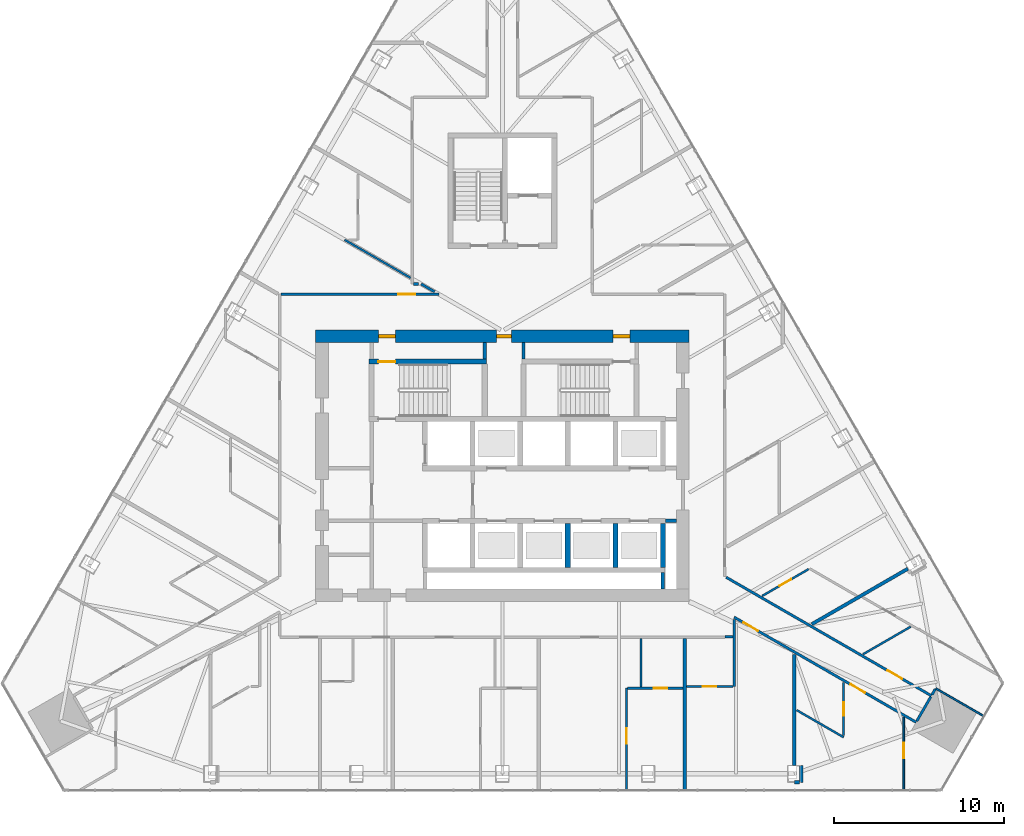
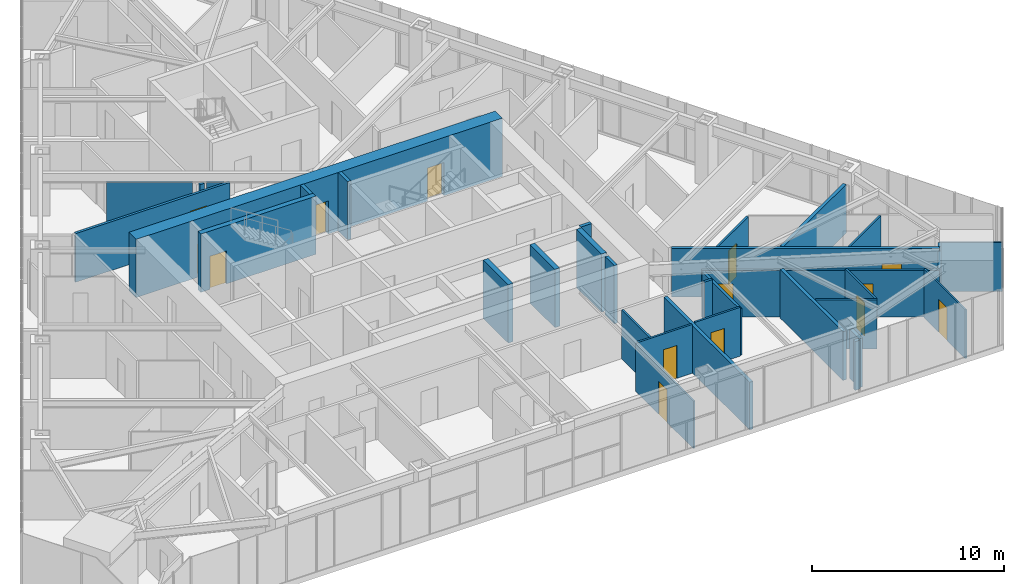
# One storey, part 20 of 24: 34 walls, 14 doors, 14 openings.
"""IFC4 building model written with IfcOpenShell, lengths in metres."""

from ifc_helpers import new_model, si_unit, direction, frame, frame_2d, origin, place, context, subcontext, project, spatial, rectangle, extrude, material, layer, layer_set, type_object, element, fill, save


model = new_model("IFC4")

# Units and contexts
model_context = context("Model", 3, precision=1e-05, world=origin(), true_north=direction((0.0, 1.0)))
body_context = subcontext(model_context, "Body", "Model", "MODEL_VIEW")
ifc_project = project(units=[si_unit("LENGTHUNIT", "METRE"), si_unit("AREAUNIT", "SQUARE_METRE"), si_unit("VOLUMEUNIT", "CUBIC_METRE"), si_unit("PLANEANGLEUNIT", "RADIAN"), si_unit("MASSUNIT", "GRAM", prefix="KILO")], contexts=[model_context])

# Site, building, storey
site_placement = place(None, origin())
site = spatial("IfcSite", under=ifc_project, at=site_placement, CompositionType="ELEMENT")
building_placement = place(site_placement, origin())
building = spatial("IfcBuilding", under=site, at=building_placement, Name="Firuza Gate Tower and Library", CompositionType="ELEMENT")
storey_placement = place(building_placement, frame((0.0, 0.0, 206.5)))
storey = spatial("IfcBuildingStorey", under=building, at=storey_placement, Name="L48", CompositionType="ELEMENT", Elevation=206.5)

# Walls
ifc_material_1 = material(Name="Plasterboard on steel studs", Category="steel")
ifc_layer_1 = layer(ifc_material_1, 0.199951171875)
ifc_layer_set_1 = layer_set([ifc_layer_1], Name="Core partition 200 EI 120")
wall_type_1 = type_object("IfcWallType", Name="Core partition 200 EI 120", PredefinedType="PARTITIONING", material=ifc_layer_set_1)
wall_1_placement = place(storey_placement, frame((84.60009765625, 71.75, 0.0), z_axis=(0.0, 0.0, 1.0), x_axis=(1.0, 0.0, 0.0)))
element("IfcWall", 1, at=wall_1_placement, inside=storey, type_object=wall_type_1, Name="Core partition L48 3", PredefinedType="PARTITIONING", context=body_context, shape_type="SweptSolid", body=[
    extrude(rectangle(XDim=0.64990234375, YDim=0.199951171875, at=frame_2d((0.324951171875, 0.0))), origin(), (0.0, 0.0, 1.0), 3.699951171875),
])
wall_2_placement = place(storey_placement, frame((84.449951171875, 67.75, 0.0), z_axis=(0.0, 0.0, 1.0), x_axis=(0.0, 1.0, 0.0)))
element("IfcWall", 2, at=wall_2_placement, inside=storey, type_object=wall_type_1, Name="Core partition L48 15", PredefinedType="PARTITIONING", context=body_context, shape_type="SweptSolid", body=[
    extrude(rectangle(XDim=0.949951171875, YDim=0.199951171875, at=frame_2d((0.47509765625, 0.0))), origin(), (0.0, 0.0, 1.0), 3.699951171875),
])
ifc_material_2 = material(Name="Plasterboard on steel studs", Category="steel")
ifc_layer_2 = layer(ifc_material_2, 0.199951171875)
ifc_layer_set_2 = layer_set([ifc_layer_2], Name="Core partition 200 EI 60")
wall_type_2 = type_object("IfcWallType", Name="Core partition 200 EI 60", PredefinedType="PARTITIONING", material=ifc_layer_set_2)
for number, where, z_axis, x_axis, name in (
    (3, (73.9599609375, 81.280029296875, 0.0), (0.0, 0.0, 1.0), (0.0, 1.0, 0.0), "Core partition L48 12"),
    (4, (76.239990234375, 81.280029296875, 0.0), (0.0, 0.0, 1.0), (0.0, 1.0, 0.0), "Core partition L48 13"),
):
    element("IfcWall", number, at=place(storey_placement, frame(where, z_axis=z_axis, x_axis=x_axis)), inside=storey, type_object=wall_type_2, Name=name, PredefinedType="PARTITIONING", context=body_context, shape_type="SweptSolid", body=[
        extrude(rectangle(XDim=0.969970703125, YDim=0.199951171875, at=frame_2d((0.48486328125, 0.0))), origin(), (0.0, 0.0, 1.0), 3.699951171875),
    ])
ifc_material_3 = material(Name="Concrete C80/95", Category="concrete")
ifc_layer_3 = layer(ifc_material_3, 0.300048828125)
ifc_layer_set_3 = layer_set([ifc_layer_3], Name="Core wall 300 C80/95")
wall_type_3 = type_object("IfcWallType", Name="Core wall 300 C80/95", PredefinedType="SHEAR", material=ifc_layer_set_3)
for number, where, z_axis, x_axis, name in (
    (5, (78.85009765625, 69.0, 0.0), (0.0, 0.0, 1.0), (0.0, 1.0, 0.0), "Core wall L48 14"),
    (6, (81.64990234375, 69.0, 0.0), (0.0, 0.0, 1.0), (0.0, 1.0, 0.0), "Core wall L48 16"),
    (7, (84.449951171875, 69.0, 0.0), (0.0, 0.0, 1.0), (0.0, 1.0, 0.0), "Core wall L48 18"),
):
    element("IfcWall", number, at=place(storey_placement, frame(where, z_axis=z_axis, x_axis=x_axis)), inside=storey, type_object=wall_type_3, Name=name, PredefinedType="SHEAR", context=body_context, shape_type="SweptSolid", body=[
        extrude(rectangle(XDim=2.60009765625, YDim=0.300048828125, at=frame_2d((1.300048828125, 0.0))), origin(), (0.0, 0.0, 1.0), 3.699951171875),
    ])

# Wall, opening, door
wall_3_placement = place(storey_placement, frame((67.14990234375, 81.1298828125, 0.0), z_axis=(0.0, 0.0, 1.0), x_axis=(1.0, 0.0, 0.0)))
wall_3 = element("IfcWall", 8, at=wall_3_placement, inside=storey, type_object=wall_type_3, Name="Core wall L48 21", PredefinedType="SHEAR", context=body_context, shape_type="SweptSolid", body=[
    extrude(rectangle(XDim=6.91015625, YDim=0.300048828125, at=frame_2d((3.455078125, 0.0))), origin(), (0.0, 0.0, 1.0), 3.699951171875),
])
opening_1_placement = place(wall_3_placement, frame((0.544921875, 0.0, 0.0)))
opening_1 = element("IfcOpeningElement", 9, at=opening_1_placement, cuts=wall_3, Name="Opening L48-K11", PredefinedType="OPENING", context=body_context, shape_type="SweptSolid", body=[
    extrude(rectangle(XDim=1.0, YDim=2.10009765625, at=frame_2d((0.5, 1.050048828125))), frame((0.0, 0.16015625, 0.0), z_axis=(0.0, -1.0, 0.0), x_axis=(1.0, 0.0, 0.0)), (0.0, 0.0, 1.0), 0.320068359375),
])
ifc_material_4 = material(Name="Steel", Category="steel")
door_type_1 = type_object("IfcDoorType", Name="Fire door 1000x2100 FD90", OperationType="NOTDEFINED", PredefinedType="DOOR", material=ifc_material_4)
door_1_placement = place(opening_1_placement, origin())
door_1 = element("IfcDoor", 10, at=door_1_placement, inside=storey, type_object=door_type_1, Name="Door L48-K11", OperationType="SINGLE_SWING_RIGHT", OverallHeight=2.10009765625, OverallWidth=1.0, PredefinedType="DOOR", context=body_context, shape_type="SweptSolid", body=[
    extrude(rectangle(XDim=1.0, YDim=2.10009765625, at=frame_2d((0.5, 1.050048828125))), frame((0.0, 0.02490234375, 0.0), z_axis=(0.0, -1.0, 0.0), x_axis=(1.0, 0.0, 0.0)), (0.0, 0.0, 1.0), 0.050048828125),
])
fill(opening_1, door_1)

# Wall, openings, doors
ifc_material_5 = material(Name="Concrete C80/95", Category="concrete")
ifc_layer_4 = layer(ifc_material_5, 0.75)
ifc_layer_set_4 = layer_set([ifc_layer_4], Name="Core wall 750 C80/95")
wall_type_4 = type_object("IfcWallType", Name="Core wall 750 C80/95", PredefinedType="SHEAR", material=ifc_layer_set_4)
wall_4_placement = place(storey_placement, frame((64.0, 82.625, 0.0), z_axis=(0.0, 0.0, 1.0), x_axis=(1.0, 0.0, 0.0)))
wall_4 = element("IfcWall", 11, at=wall_4_placement, inside=storey, type_object=wall_type_4, Name="Core wall L48 2", PredefinedType="SHEAR", context=body_context, shape_type="SweptSolid", body=[
    extrude(rectangle(XDim=22.0, YDim=0.75, at=frame_2d((11.0, 0.0))), origin(), (0.0, 0.0, 1.0), 3.699951171875),
])
opening_2_placement = place(wall_4_placement, frame((3.695068359375, 0.0, 0.0)))
opening_2 = element("IfcOpeningElement", 12, at=opening_2_placement, cuts=wall_4, Name="Opening L48-K12", PredefinedType="OPENING", context=body_context, shape_type="SweptSolid", body=[
    extrude(rectangle(XDim=1.0, YDim=2.10009765625, at=frame_2d((0.5, 1.050048828125))), frame((0.0, 0.385009765625, 0.0), z_axis=(0.0, -1.0, 0.0), x_axis=(1.0, 0.0, 0.0)), (0.0, 0.0, 1.0), 0.77001953125),
])
opening_3_placement = place(wall_4_placement, frame((17.5048828125, 0.0, 0.0)))
opening_3 = element("IfcOpeningElement", 13, at=opening_3_placement, cuts=wall_4, Name="Opening L48-K14", PredefinedType="OPENING", context=body_context, shape_type="SweptSolid", body=[
    extrude(rectangle(XDim=1.0, YDim=2.10009765625, at=frame_2d((0.5, 1.050048828125))), frame((0.0, 0.385009765625, 0.0), z_axis=(0.0, -1.0, 0.0), x_axis=(1.0, 0.0, 0.0)), (0.0, 0.0, 1.0), 0.77001953125),
])
opening_4_placement = place(wall_4_placement, frame((10.64990234375, 0.0, 0.0)))
opening_4 = element("IfcOpeningElement", 14, at=opening_4_placement, cuts=wall_4, Name="Opening L48-K26", PredefinedType="OPENING", context=body_context, shape_type="SweptSolid", body=[
    extrude(rectangle(XDim=0.89990234375, YDim=2.10009765625, at=frame_2d((0.449951171875, 1.050048828125))), frame((0.0, 0.385009765625, 0.0), z_axis=(0.0, -1.0, 0.0), x_axis=(1.0, 0.0, 0.0)), (0.0, 0.0, 1.0), 0.77001953125),
])
door_2_placement = place(opening_2_placement, origin())
door_2 = element("IfcDoor", 15, at=door_2_placement, inside=storey, type_object=door_type_1, Name="Door L48-K12", OperationType="SINGLE_SWING_LEFT", OverallHeight=2.10009765625, OverallWidth=1.0, PredefinedType="DOOR", context=body_context, shape_type="SweptSolid", body=[
    extrude(rectangle(XDim=1.0, YDim=2.10009765625, at=frame_2d((0.5, 1.050048828125))), frame((0.0, 0.094970703125, 0.0), z_axis=(0.0, -1.0, 0.0), x_axis=(1.0, 0.0, 0.0)), (0.0, 0.0, 1.0), 0.18994140625),
])
fill(opening_2, door_2)
door_3_placement = place(opening_3_placement, origin())
door_3 = element("IfcDoor", 16, at=door_3_placement, inside=storey, type_object=door_type_1, Name="Door L48-K14", OperationType="SINGLE_SWING_LEFT", OverallHeight=2.10009765625, OverallWidth=1.0, PredefinedType="DOOR", context=body_context, shape_type="SweptSolid", body=[
    extrude(rectangle(XDim=1.0, YDim=2.10009765625, at=frame_2d((0.5, 1.050048828125))), frame((0.0, 0.094970703125, 0.0), z_axis=(0.0, -1.0, 0.0), x_axis=(1.0, 0.0, 0.0)), (0.0, 0.0, 1.0), 0.18994140625),
])
fill(opening_3, door_3)
ifc_material_6 = material(Name="Steel", Category="steel")
door_type_2 = type_object("IfcDoorType", Name="Fire door 900x2100 FD30S", OperationType="NOTDEFINED", PredefinedType="DOOR", material=ifc_material_6)
door_4_placement = place(opening_4_placement, origin())
door_4 = element("IfcDoor", 17, at=door_4_placement, inside=storey, type_object=door_type_2, Name="Door L48-K26", OperationType="SINGLE_SWING_LEFT", OverallHeight=2.10009765625, OverallWidth=0.89990234375, PredefinedType="DOOR", context=body_context, shape_type="SweptSolid", body=[
    extrude(rectangle(XDim=0.89990234375, YDim=2.10009765625, at=frame_2d((0.449951171875, 1.050048828125))), frame((0.0, 0.094970703125, 0.0), z_axis=(0.0, -1.0, 0.0), x_axis=(1.0, 0.0, 0.0)), (0.0, 0.0, 1.0), 0.18994140625),
])
fill(opening_4, door_4)

# Wall
ifc_material_7 = material(Name="Gypsum board partition")
ifc_layer_5 = layer(ifc_material_7, 0.14990234375)
ifc_layer_set_5 = layer_set([ifc_layer_5], Name="Corridor wall 150 double board on steel studs")
wall_type_5 = type_object("IfcWallType", Name="Corridor wall 150 double board on steel studs", PredefinedType="PARTITIONING", material=ifc_layer_set_5)
wall_5_placement = place(storey_placement, frame((88.10009765625, 64.9189453125, 0.0), z_axis=(0.0, 0.0, 1.0), x_axis=(1.0, 0.0, 0.0)))
element("IfcWall", 18, at=wall_5_placement, inside=storey, type_object=wall_type_5, Name="f:L48:w008", PredefinedType="PARTITIONING", context=body_context, shape_type="SweptSolid", body=[
    extrude(rectangle(XDim=0.467529296875, YDim=0.14990234375, at=frame_2d((0.23388671875, 0.0))), origin(), (0.0, 0.0, 1.0), 3.10009765625),
])

# Wall, opening, door
wall_6_placement = place(storey_placement, frame((61.9755859375, 85.10009765625, 0.0), z_axis=(0.0, 0.0, 1.0), x_axis=(1.0, 0.0, 0.0)))
wall_6 = element("IfcWall", 19, at=wall_6_placement, inside=storey, type_object=wall_type_5, Name="f:L48:w009", PredefinedType="PARTITIONING", context=body_context, shape_type="SweptSolid", body=[
    extrude(rectangle(XDim=9.28076171875, YDim=0.14990234375, at=frame_2d((4.640380859375, 0.0))), origin(), (0.0, 0.0, 1.0), 3.096923828125),
])
opening_5_placement = place(wall_6_placement, frame((6.898681640625, 0.0, 0.0)))
opening_5 = element("IfcOpeningElement", 20, at=opening_5_placement, cuts=wall_6, Name="Opening L48-09", PredefinedType="OPENING", context=body_context, shape_type="SweptSolid", body=[
    extrude(rectangle(XDim=1.0, YDim=2.10009765625, at=frame_2d((0.5, 1.050048828125))), frame((0.0, 0.0849609375, 0.0), z_axis=(0.0, -1.0, 0.0), x_axis=(1.0, 0.0, 0.0)), (0.0, 0.0, 1.0), 0.169921875),
])
ifc_material_8 = material(Name="Steel door and timber leaf", Category="steel")
door_type_3 = type_object("IfcDoorType", Name="Fire door 1000 x 2100 steel frame, timber leaf", OperationType="NOTDEFINED", PredefinedType="DOOR", material=ifc_material_8)
door_5_placement = place(opening_5_placement, origin())
door_5 = element("IfcDoor", 21, at=door_5_placement, inside=storey, type_object=door_type_3, Name="f:L48:d009", OperationType="SINGLE_SWING_RIGHT", OverallHeight=2.10009765625, OverallWidth=1.0, PredefinedType="DOOR", context=body_context, shape_type="SweptSolid", body=[
    extrude(rectangle(XDim=1.0, YDim=2.10009765625, at=frame_2d((0.5, 1.050048828125))), frame((0.0, 0.02490234375, 0.0), z_axis=(0.0, -1.0, 0.0), x_axis=(1.0, 0.0, 0.0)), (0.0, 0.0, 1.0), 0.050048828125),
])
fill(opening_5, door_5)

# Walls
wall_7_placement = place(storey_placement, frame((69.775390625, 85.699951171875, 0.0), z_axis=(0.0, 0.0, 1.0), x_axis=(1.0, 0.0, 0.0)))
element("IfcWall", 22, at=wall_7_placement, inside=storey, type_object=wall_type_5, Name="f:L48:w011", PredefinedType="PARTITIONING", context=body_context, shape_type="SweptSolid", body=[
    extrude(rectangle(XDim=0.291748046875, YDim=0.14990234375, at=frame_2d((0.14599609375, 0.0))), origin(), (0.0, 0.0, 1.0), 3.096923828125),
])
wall_8_placement = place(storey_placement, frame((99.397705078125, 59.9619140625, 0.0), z_axis=(0.0, 0.0, 1.0), x_axis=(0.499927431592, 0.866067297121, 0.0)))
element("IfcWall", 23, at=wall_8_placement, inside=storey, type_object=wall_type_5, Name="f:L48:w037", PredefinedType="PARTITIONING", context=body_context, shape_type="SweptSolid", body=[
    extrude(rectangle(XDim=1.649658203125, YDim=0.14990234375, at=frame_2d((0.82470703125, 0.0))), origin(), (0.0, 0.0, 1.0), 2.947021484375),
])
wall_9_placement = place(storey_placement, frame((88.64306640625, 62.0, 0.0), z_axis=(0.0, 0.0, 1.0), x_axis=(0.0, 1.0, 0.0)))
element("IfcWall", 24, at=wall_9_placement, inside=storey, type_object=wall_type_5, Name="f:L48:w044", PredefinedType="PARTITIONING", context=body_context, shape_type="SweptSolid", body=[
    extrude(rectangle(XDim=3.947265625, YDim=0.14990234375, at=frame_2d((1.9736328125, 0.0))), origin(), (0.0, 0.0, 1.0), 2.947021484375),
])
wall_10_placement = place(storey_placement, frame((71.013916015625, 85.239990234375, 0.0), z_axis=(0.0, 0.0, 1.0), x_axis=(-0.865964657013, 0.500105201737, 0.0)))
element("IfcWall", 25, at=wall_10_placement, inside=storey, type_object=wall_type_5, Name="f:L48:w079", PredefinedType="PARTITIONING", context=body_context, shape_type="SweptSolid", body=[
    extrude(rectangle(XDim=0.920166015625, YDim=0.14990234375, at=frame_2d((0.4599609375, 0.0))), origin(), (0.0, 0.0, 1.0), 3.096923828125),
])

# Wall, opening, door
wall_11_placement = place(storey_placement, frame((88.175048828125, 68.4326171875, 0.0), z_axis=(0.0, 0.0, 1.0), x_axis=(0.866030582951, -0.499991029314, 0.0)))
wall_11 = element("IfcWall", 26, at=wall_11_placement, inside=storey, type_object=wall_type_5, Name="f:L48:w086", PredefinedType="PARTITIONING", context=body_context, shape_type="SweptSolid", body=[
    extrude(rectangle(XDim=13.953857421875, YDim=0.14990234375, at=frame_2d((6.97705078125, 0.0))), origin(), (0.0, 0.0, 1.0), 3.10009765625),
])
opening_6_placement = place(wall_11_placement, frame((10.967041015625, 0.0, 0.0)))
opening_6 = element("IfcOpeningElement", 27, at=opening_6_placement, cuts=wall_11, Name="Opening L48-41", PredefinedType="OPENING", context=body_context, shape_type="SweptSolid", body=[
    extrude(rectangle(XDim=1.0, YDim=2.10009765625, at=frame_2d((0.5, 1.050048828125))), frame((0.0, 0.0849609375, 0.0), z_axis=(0.0, -1.0, 0.0), x_axis=(1.0, 0.0, 0.0)), (0.0, 0.0, 1.0), 0.169921875),
])
door_6_placement = place(opening_6_placement, origin())
door_6 = element("IfcDoor", 28, at=door_6_placement, inside=storey, type_object=door_type_3, Name="f:L48:d041", OperationType="SINGLE_SWING_LEFT", OverallHeight=2.10009765625, OverallWidth=1.0, PredefinedType="DOOR", context=body_context, shape_type="SweptSolid", body=[
    extrude(rectangle(XDim=1.0, YDim=2.10009765625, at=frame_2d((0.5, 1.050048828125))), frame((0.0, 0.02490234375, 0.0), z_axis=(0.0, -1.0, 0.0), x_axis=(1.0, 0.0, 0.0)), (0.0, 0.0, 1.0), 0.050048828125),
])
fill(opening_6, door_6)

# Wall, openings, doors
wall_12_placement = place(storey_placement, frame((99.359619140625, 59.89697265625, 0.0), z_axis=(0.0, 0.0, 1.0), x_axis=(-0.866029863972, 0.499992274648, 0.0)))
wall_12 = element("IfcWall", 29, at=wall_12_placement, inside=storey, type_object=wall_type_5, Name="f:L48:w087", PredefinedType="PARTITIONING", context=body_context, shape_type="SweptSolid", body=[
    extrude(rectangle(XDim=12.375244140625, YDim=0.14990234375, at=frame_2d((6.1875, 0.0))), origin(), (0.0, 0.0, 1.0), 2.947021484375),
])
opening_7_placement = place(wall_12_placement, frame((3.470458984375, 0.0, 0.0)))
opening_7 = element("IfcOpeningElement", 30, at=opening_7_placement, cuts=wall_12, Name="Opening L48-42", PredefinedType="OPENING", context=body_context, shape_type="SweptSolid", body=[
    extrude(rectangle(XDim=1.0, YDim=2.10009765625, at=frame_2d((0.5, 1.050048828125))), frame((0.0, 0.0849609375, 0.0), z_axis=(0.0, -1.0, 0.0), x_axis=(1.0, 0.0, 0.0)), (0.0, 0.0, 1.0), 0.169921875),
])
opening_8_placement = place(wall_12_placement, frame((10.740478515625, 0.0, 0.0)))
opening_8 = element("IfcOpeningElement", 31, at=opening_8_placement, cuts=wall_12, Name="Opening L48-43", PredefinedType="OPENING", context=body_context, shape_type="SweptSolid", body=[
    extrude(rectangle(XDim=1.0, YDim=2.10009765625, at=frame_2d((0.5, 1.050048828125))), frame((0.0, 0.0849609375, 0.0), z_axis=(0.0, -1.0, 0.0), x_axis=(1.0, 0.0, 0.0)), (0.0, 0.0, 1.0), 0.169921875),
])
door_7_placement = place(opening_7_placement, origin())
door_7 = element("IfcDoor", 32, at=door_7_placement, inside=storey, type_object=door_type_3, Name="f:L48:d042", OperationType="SINGLE_SWING_LEFT", OverallHeight=2.10009765625, OverallWidth=1.0, PredefinedType="DOOR", context=body_context, shape_type="SweptSolid", body=[
    extrude(rectangle(XDim=1.0, YDim=2.10009765625, at=frame_2d((0.5, 1.050048828125))), frame((0.0, 0.02490234375, 0.0), z_axis=(0.0, -1.0, 0.0), x_axis=(1.0, 0.0, 0.0)), (0.0, 0.0, 1.0), 0.050048828125),
])
fill(opening_7, door_7)
door_8_placement = place(opening_8_placement, origin())
door_8 = element("IfcDoor", 33, at=door_8_placement, inside=storey, type_object=door_type_3, Name="f:L48:d043", OperationType="SINGLE_SWING_LEFT", OverallHeight=2.10009765625, OverallWidth=1.0, PredefinedType="DOOR", context=body_context, shape_type="SweptSolid", body=[
    extrude(rectangle(XDim=1.0, YDim=2.10009765625, at=frame_2d((0.5, 1.050048828125))), frame((0.0, 0.02490234375, 0.0), z_axis=(0.0, -1.0, 0.0), x_axis=(1.0, 0.0, 0.0)), (0.0, 0.0, 1.0), 0.050048828125),
])
fill(opening_8, door_8)

# Walls
wall_13_placement = place(storey_placement, frame((100.297607421875, 61.5205078125, 0.0), z_axis=(0.0, 0.0, 1.0), x_axis=(0.499647160578, 0.866229019905, 0.0)))
element("IfcWall", 34, at=wall_13_placement, inside=storey, type_object=wall_type_5, Name="f:L48:w097", PredefinedType="PARTITIONING", context=body_context, shape_type="SweptSolid", body=[
    extrude(rectangle(XDim=0.374267578125, YDim=0.14990234375, at=frame_2d((0.18701171875, 0.0))), origin(), (0.0, 0.0, 1.0), 3.10009765625),
])
ifc_material_9 = material(Name="Gypsum board partition")
ifc_layer_6 = layer(ifc_material_9, 0.199951171875)
ifc_layer_set_6 = layer_set([ifc_layer_6], Name="Demising wall 200 acoustic double stud")
wall_type_6 = type_object("IfcWallType", Name="Demising wall 200 acoustic double stud", PredefinedType="PARTITIONING", material=ifc_layer_set_6)
wall_14_placement = place(storey_placement, frame((92.1875, 56.35791015625, 0.0), z_axis=(0.0, 0.0, 1.0), x_axis=(1.0, 0.0, 0.0)))
element("IfcWall", 35, at=wall_14_placement, inside=storey, type_object=wall_type_6, Name="f:L48:w001", PredefinedType="PARTITIONING", context=body_context, shape_type="SweptSolid", body=[
    extrude(rectangle(XDim=0.2900390625, YDim=0.199951171875, at=frame_2d((0.14501953125, 0.0))), origin(), (0.0, 0.0, 1.0), 3.10009765625),
])
wall_15_placement = place(storey_placement, frame((93.214599609375, 65.66943359375, 0.0), z_axis=(0.0, 0.0, 1.0), x_axis=(0.866021893259, 0.50000608036, 0.0)))
element("IfcWall", 36, at=wall_15_placement, inside=storey, type_object=wall_type_6, Name="f:L48:w020", PredefinedType="PARTITIONING", context=body_context, shape_type="SweptSolid", body=[
    extrude(rectangle(XDim=6.5322265625, YDim=0.199951171875, at=frame_2d((3.26611328125, 0.0))), origin(), (0.0, 0.0, 1.0), 3.10009765625),
])
wall_16_placement = place(storey_placement, frame((92.5869140625, 56.3583984375, 0.0), z_axis=(0.0, 0.0, 1.0), x_axis=(0.0, 1.0, 0.0)))
element("IfcWall", 37, at=wall_16_placement, inside=storey, type_object=wall_type_6, Name="f:L48:w040", PredefinedType="PARTITIONING", context=body_context, shape_type="SweptSolid", body=[
    extrude(rectangle(XDim=1.0, YDim=0.199951171875, at=frame_2d((0.5, 0.0))), origin(), (0.0, 0.0, 1.0), 3.10009765625),
])
wall_17_placement = place(storey_placement, frame((92.18701171875, 57.3583984375, 0.0), z_axis=(0.0, 0.0, 1.0), x_axis=(0.0, 1.0, 0.0)))
element("IfcWall", 38, at=wall_17_placement, inside=storey, type_object=wall_type_6, Name="f:L48:w041", PredefinedType="PARTITIONING", context=body_context, shape_type="SweptSolid", body=[
    extrude(rectangle(XDim=6.532470703125, YDim=0.199951171875, at=frame_2d((3.26611328125, 0.0))), origin(), (0.0, 0.0, 1.0), 3.10009765625),
])
wall_18_placement = place(storey_placement, frame((85.741943359375, 55.898193359375, 0.0), z_axis=(0.0, 0.0, 1.0), x_axis=(0.0, 1.0, 0.0)))
element("IfcWall", 39, at=wall_18_placement, inside=storey, type_object=wall_type_6, Name="f:L48:w046", PredefinedType="PARTITIONING", context=body_context, shape_type="SweptSolid", body=[
    extrude(rectangle(XDim=8.9267578125, YDim=0.199951171875, at=frame_2d((4.46337890625, 0.0))), origin(), (0.0, 0.0, 1.0), 3.02197265625),
])

# Wall, opening, door
ifc_material_10 = material(Name="Gypsum board partition")
ifc_layer_7 = layer(ifc_material_10, 0.10009765625)
ifc_layer_set_7 = layer_set([ifc_layer_7], Name="Partition 100 gypsum board on steel studs")
wall_type_7 = type_object("IfcWallType", Name="Partition 100 gypsum board on steel studs", PredefinedType="PARTITIONING", material=ifc_layer_set_7)
wall_19_placement = place(storey_placement, frame((98.633056640625, 55.898193359375, 0.0), z_axis=(0.0, 0.0, 1.0), x_axis=(0.0, 1.0, 0.0)))
wall_19 = element("IfcWall", 40, at=wall_19_placement, inside=storey, type_object=wall_type_7, Name="f:L48:w038", PredefinedType="PARTITIONING", context=body_context, shape_type="SweptSolid", body=[
    extrude(rectangle(XDim=4.301513671875, YDim=0.10009765625, at=frame_2d((2.15087890625, 0.0))), origin(), (0.0, 0.0, 1.0), 3.10009765625),
])
opening_9_placement = place(wall_19_placement, frame((1.880859375, 0.0, 0.0)))
opening_9 = element("IfcOpeningElement", 41, at=opening_9_placement, cuts=wall_19, Name="Opening L48-21", PredefinedType="OPENING", context=body_context, shape_type="SweptSolid", body=[
    extrude(rectangle(XDim=0.89990234375, YDim=2.10009765625, at=frame_2d((0.449951171875, 1.050048828125))), frame((0.0, 0.06005859375, 0.0), z_axis=(0.0, -1.0, 0.0), x_axis=(1.0, 0.0, 0.0)), (0.0, 0.0, 1.0), 0.1201171875),
])
ifc_material_11 = material(Name="Timber door", Category="wood")
door_type_4 = type_object("IfcDoorType", Name="Door 900 x 2100 timber leaf", OperationType="NOTDEFINED", PredefinedType="DOOR", material=ifc_material_11)
door_9_placement = place(opening_9_placement, origin())
door_9 = element("IfcDoor", 42, at=door_9_placement, inside=storey, type_object=door_type_4, Name="f:L48:d021", OperationType="SINGLE_SWING_LEFT", OverallHeight=2.10009765625, OverallWidth=0.89990234375, PredefinedType="DOOR", context=body_context, shape_type="SweptSolid", body=[
    extrude(rectangle(XDim=0.89990234375, YDim=2.10009765625, at=frame_2d((0.449951171875, 1.050048828125))), frame((0.0, 0.02490234375, 0.0), z_axis=(0.0, -1.0, 0.0), x_axis=(1.0, 0.0, 0.0)), (0.0, 0.0, 1.0), 0.050048828125),
])
fill(opening_9, door_9)

wall_20_placement = place(storey_placement, frame((82.304931640625, 61.89990234375, 0.0), z_axis=(0.0, 0.0, 1.0), x_axis=(0.0, -1.0, 0.0)))
wall_20 = element("IfcWall", 43, at=wall_20_placement, inside=storey, type_object=wall_type_7, Name="f:L48:w049", PredefinedType="PARTITIONING", context=body_context, shape_type="SweptSolid", body=[
    extrude(rectangle(XDim=6.001708984375, YDim=0.10009765625, at=frame_2d((3.0009765625, 0.0))), origin(), (0.0, 0.0, 1.0), 3.02197265625),
])
opening_10_placement = place(wall_20_placement, frame((2.370849609375, 0.0, 0.0)))
opening_10 = element("IfcOpeningElement", 44, at=opening_10_placement, cuts=wall_20, Name="Opening L48-26", PredefinedType="OPENING", context=body_context, shape_type="SweptSolid", body=[
    extrude(rectangle(XDim=0.89990234375, YDim=2.10009765625, at=frame_2d((0.449951171875, 1.050048828125))), frame((0.0, 0.06005859375, 0.0), z_axis=(0.0, -1.0, 0.0), x_axis=(1.0, 0.0, 0.0)), (0.0, 0.0, 1.0), 0.1201171875),
])
door_10_placement = place(opening_10_placement, origin())
door_10 = element("IfcDoor", 45, at=door_10_placement, inside=storey, type_object=door_type_4, Name="f:L48:d026", OperationType="SINGLE_SWING_RIGHT", OverallHeight=2.10009765625, OverallWidth=0.89990234375, PredefinedType="DOOR", context=body_context, shape_type="SweptSolid", body=[
    extrude(rectangle(XDim=0.89990234375, YDim=2.10009765625, at=frame_2d((0.449951171875, 1.050048828125))), frame((0.0, 0.02490234375, 0.0), z_axis=(0.0, -1.0, 0.0), x_axis=(1.0, 0.0, 0.0)), (0.0, 0.0, 1.0), 0.050048828125),
])
fill(opening_10, door_10)

# Wall
wall_21_placement = place(storey_placement, frame((103.333251953125, 60.258544921875, 0.0), z_axis=(0.0, 0.0, 1.0), x_axis=(-0.866035906198, 0.499981808845, 0.0)))
element("IfcWall", 46, at=wall_21_placement, inside=storey, type_object=wall_type_7, Name="f:L48:w085", PredefinedType="PARTITIONING", context=body_context, shape_type="SweptSolid", body=[
    extrude(rectangle(XDim=3.25927734375, YDim=0.10009765625, at=frame_2d((1.629638671875, 0.0))), origin(), (0.0, 0.0, 1.0), 3.10009765625),
])

# Wall, opening, door
ifc_material_12 = material(Name="Gypsum board partition")
ifc_layer_8 = layer(ifc_material_12, 0.1201171875)
ifc_layer_set_8 = layer_set([ifc_layer_8], Name="Wet-area partition 120 moisture-resistant board")
wall_type_8 = type_object("IfcWallType", Name="Wet-area partition 120 moisture-resistant board", PredefinedType="PARTITIONING", material=ifc_layer_set_8)
wall_22_placement = place(storey_placement, frame((82.36474609375, 61.89990234375, 0.0), z_axis=(0.0, 0.0, 1.0), x_axis=(1.0, 0.0, 0.0)))
wall_22 = element("IfcWall", 47, at=wall_22_placement, inside=storey, type_object=wall_type_8, Name="f:L48:w003", PredefinedType="PARTITIONING", context=body_context, shape_type="SweptSolid", body=[
    extrude(rectangle(XDim=3.267333984375, YDim=0.1201171875, at=frame_2d((1.6337890625, 0.0))), origin(), (0.0, 0.0, 1.0), 3.10009765625),
])
opening_11_placement = place(wall_22_placement, frame((1.533447265625, 0.0, 0.0)))
opening_11 = element("IfcOpeningElement", 48, at=opening_11_placement, cuts=wall_22, Name="Opening L48-02", PredefinedType="OPENING", context=body_context, shape_type="SweptSolid", body=[
    extrude(rectangle(XDim=0.800048828125, YDim=2.10009765625, at=frame_2d((0.39990234375, 1.050048828125))), frame((0.0, 0.070068359375, 0.0), z_axis=(0.0, -1.0, 0.0), x_axis=(1.0, 0.0, 0.0)), (0.0, 0.0, 1.0), 0.14013671875),
])
ifc_material_13 = material(Name="Timber door", Category="wood")
door_type_5 = type_object("IfcDoorType", Name="Door 800 x 2100 timber leaf", OperationType="NOTDEFINED", PredefinedType="DOOR", material=ifc_material_13)
door_11_placement = place(opening_11_placement, origin())
door_11 = element("IfcDoor", 49, at=door_11_placement, inside=storey, type_object=door_type_5, Name="f:L48:d002", OperationType="SINGLE_SWING_RIGHT", OverallHeight=2.10009765625, OverallWidth=0.800048828125, PredefinedType="DOOR", context=body_context, shape_type="SweptSolid", body=[
    extrude(rectangle(XDim=0.800048828125, YDim=2.10009765625, at=frame_2d((0.39990234375, 1.050048828125))), frame((0.0, 0.02490234375, 0.0), z_axis=(0.0, -1.0, 0.0), x_axis=(1.0, 0.0, 0.0)), (0.0, 0.0, 1.0), 0.050048828125),
])
fill(opening_11, door_11)

wall_23_placement = place(storey_placement, frame((85.84228515625, 62.0, 0.0), z_axis=(0.0, 0.0, 1.0), x_axis=(1.0, 0.0, 0.0)))
wall_23 = element("IfcWall", 50, at=wall_23_placement, inside=storey, type_object=wall_type_8, Name="f:L48:w005", PredefinedType="PARTITIONING", context=body_context, shape_type="SweptSolid", body=[
    extrude(rectangle(XDim=2.725341796875, YDim=0.1201171875, at=frame_2d((1.36279296875, 0.0))), origin(), (0.0, 0.0, 1.0), 3.10009765625),
])
opening_12_placement = place(wall_23_placement, frame((0.962646484375, 0.0, 0.0)))
opening_12 = element("IfcOpeningElement", 51, at=opening_12_placement, cuts=wall_23, Name="Opening L48-03", PredefinedType="OPENING", context=body_context, shape_type="SweptSolid", body=[
    extrude(rectangle(XDim=0.800048828125, YDim=2.10009765625, at=frame_2d((0.39990234375, 1.050048828125))), frame((0.0, 0.070068359375, 0.0), z_axis=(0.0, -1.0, 0.0), x_axis=(1.0, 0.0, 0.0)), (0.0, 0.0, 1.0), 0.14013671875),
])
door_12_placement = place(opening_12_placement, origin())
door_12 = element("IfcDoor", 52, at=door_12_placement, inside=storey, type_object=door_type_5, Name="f:L48:d003", OperationType="SINGLE_SWING_RIGHT", OverallHeight=2.10009765625, OverallWidth=0.800048828125, PredefinedType="DOOR", context=body_context, shape_type="SweptSolid", body=[
    extrude(rectangle(XDim=0.800048828125, YDim=2.10009765625, at=frame_2d((0.39990234375, 1.050048828125))), frame((0.0, 0.02490234375, 0.0), z_axis=(0.0, -1.0, 0.0), x_axis=(1.0, 0.0, 0.0)), (0.0, 0.0, 1.0), 0.050048828125),
])
fill(opening_12, door_12)

# Wall
wall_24_placement = place(storey_placement, frame((96.2373046875, 63.904296875, 0.0), z_axis=(0.0, 0.0, 1.0), x_axis=(0.86605210011, 0.499953757757, 0.0)))
element("IfcWall", 53, at=wall_24_placement, inside=storey, type_object=wall_type_8, Name="f:L48:w018", PredefinedType="PARTITIONING", context=body_context, shape_type="SweptSolid", body=[
    extrude(rectangle(XDim=3.228271484375, YDim=0.1201171875, at=frame_2d((1.6142578125, 0.0))), origin(), (0.0, 0.0, 1.0), 3.10009765625),
])

# Wall, opening, door
wall_25_placement = place(storey_placement, frame((93.027099609375, 68.910888671875, 0.0), z_axis=(0.0, 0.0, 1.0), x_axis=(-0.866028267601, -0.499995039691, 0.0)))
wall_25 = element("IfcWall", 54, at=wall_25_placement, inside=storey, type_object=wall_type_8, Name="f:L48:w021", PredefinedType="PARTITIONING", context=body_context, shape_type="SweptSolid", body=[
    extrude(rectangle(XDim=3.15283203125, YDim=0.1201171875, at=frame_2d((1.576416015625, 0.0))), origin(), (0.0, 0.0, 1.0), 3.10009765625),
])
opening_13_placement = place(wall_25_placement, frame((1.17626953125, 0.0, 0.0)))
opening_13 = element("IfcOpeningElement", 55, at=opening_13_placement, cuts=wall_25, Name="Opening L48-13", PredefinedType="OPENING", context=body_context, shape_type="SweptSolid", body=[
    extrude(rectangle(XDim=0.800048828125, YDim=2.10009765625, at=frame_2d((0.39990234375, 1.050048828125))), frame((0.0, 0.070068359375, 0.0), z_axis=(0.0, -1.0, 0.0), x_axis=(1.0, 0.0, 0.0)), (0.0, 0.0, 1.0), 0.14013671875),
])
door_13_placement = place(opening_13_placement, origin())
door_13 = element("IfcDoor", 56, at=door_13_placement, inside=storey, type_object=door_type_5, Name="f:L48:d013", OperationType="SINGLE_SWING_LEFT", OverallHeight=2.10009765625, OverallWidth=0.800048828125, PredefinedType="DOOR", context=body_context, shape_type="SweptSolid", body=[
    extrude(rectangle(XDim=0.800048828125, YDim=2.10009765625, at=frame_2d((0.39990234375, 1.050048828125))), frame((0.0, 0.02490234375, 0.0), z_axis=(0.0, -1.0, 0.0), x_axis=(1.0, 0.0, 0.0)), (0.0, 0.0, 1.0), 0.050048828125),
])
fill(opening_13, door_13)

wall_26_placement = place(storey_placement, frame((95.087890625, 59.123779296875, 0.0), z_axis=(0.0, 0.0, 1.0), x_axis=(0.0, 1.0, 0.0)))
wall_26 = element("IfcWall", 57, at=wall_26_placement, inside=storey, type_object=wall_type_8, Name="f:L48:w039", PredefinedType="PARTITIONING", context=body_context, shape_type="SweptSolid", body=[
    extrude(rectangle(XDim=3.112548828125, YDim=0.1201171875, at=frame_2d((1.55615234375, 0.0))), origin(), (0.0, 0.0, 1.0), 3.10009765625),
])
opening_14_placement = place(wall_26_placement, frame((1.156494140625, 0.0, 0.0)))
opening_14 = element("IfcOpeningElement", 58, at=opening_14_placement, cuts=wall_26, Name="Opening L48-22", PredefinedType="OPENING", context=body_context, shape_type="SweptSolid", body=[
    extrude(rectangle(XDim=0.800048828125, YDim=2.10009765625, at=frame_2d((0.39990234375, 1.050048828125))), frame((0.0, 0.070068359375, 0.0), z_axis=(0.0, -1.0, 0.0), x_axis=(1.0, 0.0, 0.0)), (0.0, 0.0, 1.0), 0.14013671875),
])
door_14_placement = place(opening_14_placement, origin())
door_14 = element("IfcDoor", 59, at=door_14_placement, inside=storey, type_object=door_type_5, Name="f:L48:d022", OperationType="SINGLE_SWING_RIGHT", OverallHeight=2.10009765625, OverallWidth=0.800048828125, PredefinedType="DOOR", context=body_context, shape_type="SweptSolid", body=[
    extrude(rectangle(XDim=0.800048828125, YDim=2.10009765625, at=frame_2d((0.39990234375, 1.050048828125))), frame((0.0, 0.02490234375, 0.0), z_axis=(0.0, -1.0, 0.0), x_axis=(1.0, 0.0, 0.0)), (0.0, 0.0, 1.0), 0.050048828125),
])
fill(opening_14, door_14)

# Walls
wall_27_placement = place(storey_placement, frame((83.1640625, 61.9599609375, 0.0), z_axis=(0.0, 0.0, 1.0), x_axis=(0.0, 1.0, 0.0)))
element("IfcWall", 60, at=wall_27_placement, inside=storey, type_object=wall_type_8, Name="f:L48:w048", PredefinedType="PARTITIONING", context=body_context, shape_type="SweptSolid", body=[
    extrude(rectangle(XDim=2.864990234375, YDim=0.1201171875, at=frame_2d((1.4326171875, 0.0))), origin(), (0.0, 0.0, 1.0), 3.10009765625),
])
wall_28_placement = place(storey_placement, frame((69.59033203125, 86.06201171875, 0.0), z_axis=(0.0, 0.0, 1.0), x_axis=(-0.866029361473, 0.49999314502, 0.0)))
element("IfcWall", 61, at=wall_28_placement, inside=storey, type_object=wall_type_8, Name="f:L48:w080", PredefinedType="PARTITIONING", context=body_context, shape_type="SweptSolid", body=[
    extrude(rectangle(XDim=4.47607421875, YDim=0.1201171875, at=frame_2d((2.238037109375, 0.0))), origin(), (0.0, 0.0, 1.0), 3.096923828125),
])
wall_29_placement = place(storey_placement, frame((95.087890625, 59.014404296875, 0.0), z_axis=(0.0, 0.0, 1.0), x_axis=(-0.865999709858, 0.500044500546, 0.0)))
element("IfcWall", 62, at=wall_29_placement, inside=storey, type_object=wall_type_8, Name="f:L48:w089", PredefinedType="PARTITIONING", context=body_context, shape_type="SweptSolid", body=[
    extrude(rectangle(XDim=3.193603515625, YDim=0.1201171875, at=frame_2d((1.5966796875, 0.0))), origin(), (0.0, 0.0, 1.0), 3.10009765625),
])

save(model, "model.ifc")
